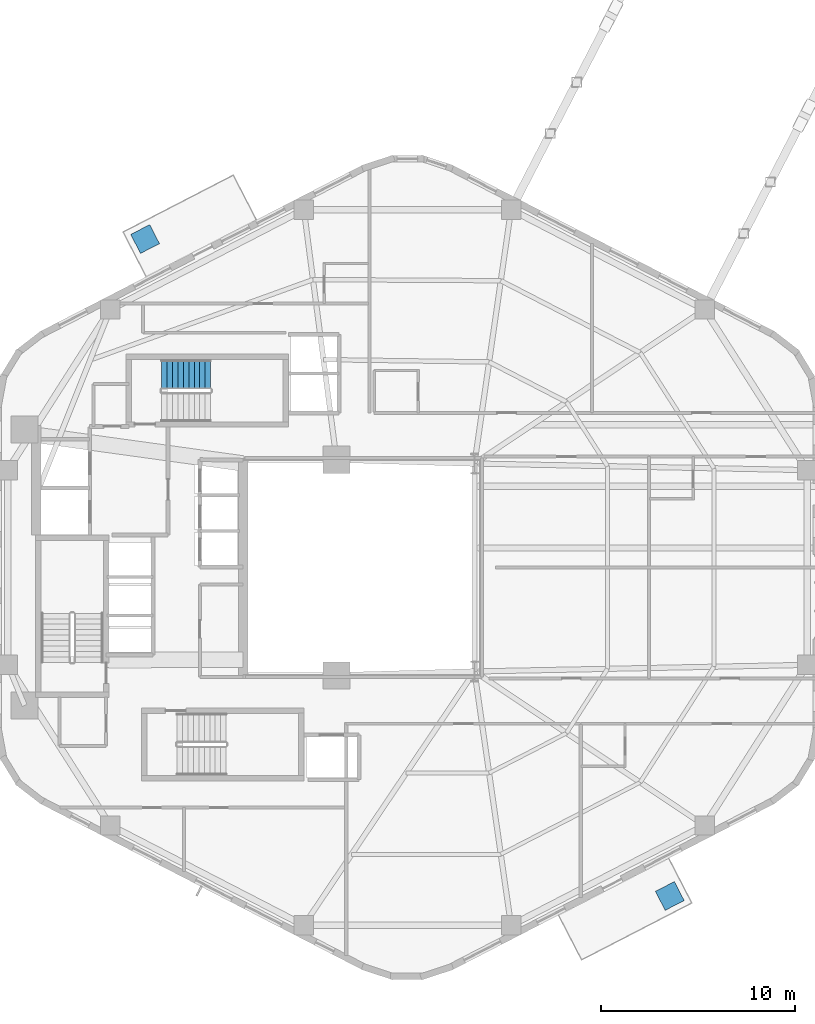
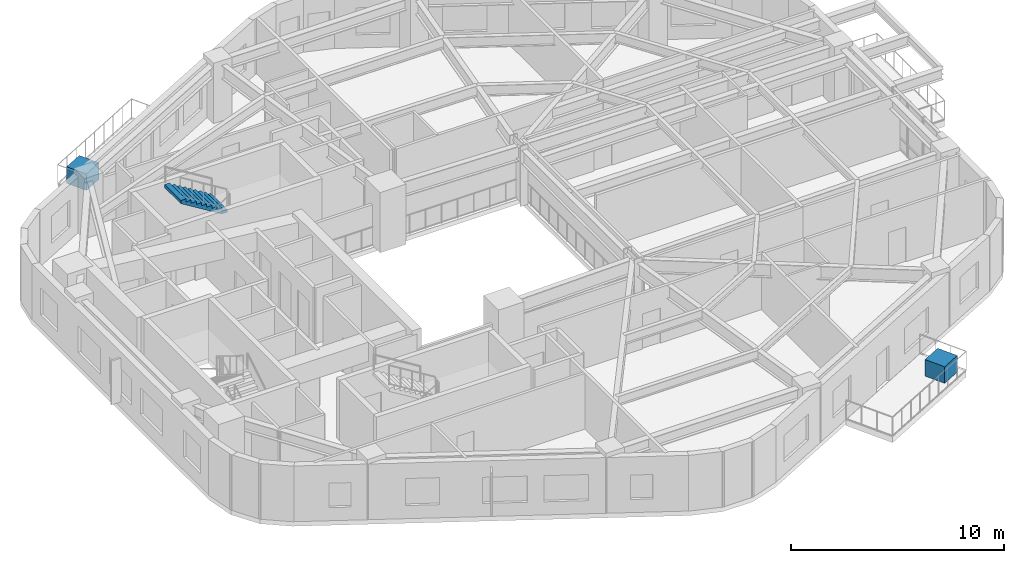
# One storey, part 8 of 10: 2 discrete accessories, 1 stair flight, 1 element without a shape of its own.
"""IFC4 building model written with IfcOpenShell, lengths in metres."""

from ifc_helpers import new_model, si_unit, direction, frame, origin, origin_2d, place, context, subcontext, project, spatial, polyline, rectangle, outline, extrude, material, type_object, element, aggregate, save


model = new_model("IFC4")

# Units and contexts
model_context = context("Model", 3, precision=1e-05, world=origin(), true_north=direction((0.0, 1.0)))
body_context = subcontext(model_context, "Body", "Model", "MODEL_VIEW")
ifc_project = project(units=[si_unit("LENGTHUNIT", "METRE"), si_unit("AREAUNIT", "SQUARE_METRE"), si_unit("VOLUMEUNIT", "CUBIC_METRE"), si_unit("PLANEANGLEUNIT", "RADIAN"), si_unit("MASSUNIT", "GRAM", prefix="KILO"), si_unit("THERMODYNAMICTEMPERATUREUNIT", "KELVIN"), si_unit("POWERUNIT", "WATT")], contexts=[model_context])

# Site, building, storey
site_placement = place(None, origin())
site = spatial("IfcSite", under=ifc_project, at=site_placement, CompositionType="ELEMENT")
building_placement = place(site_placement, origin())
building = spatial("IfcBuilding", under=site, at=building_placement, Name="Skarre Station Tower", CompositionType="ELEMENT")
storey_placement = place(building_placement, frame((0.0, 0.0, 105.0)))
storey = spatial("IfcBuildingStorey", under=building, at=storey_placement, Name="L27", CompositionType="ELEMENT", Elevation=105.0)

# Stair, stair flight
ifc_material_1 = material(Name="Concrete C40/50", Category="concrete")
stair_type = type_object("IfcStairType", Name="Reinforced Concrete Exit Stair ST-3", PredefinedType="HALF_TURN_STAIR", material=ifc_material_1)
stair_placement = place(storey_placement, origin())
stair = element("IfcStair", 1, at=stair_placement, inside=storey, type_object=stair_type, Name="L27 Core Exit Stair ST-3", PredefinedType="HALF_TURN_STAIR")
stair_flight_type = type_object("IfcStairFlightType", Name="Reinforced Concrete Stair Flight ST-3", PredefinedType="STRAIGHT", material=ifc_material_1)
stair_flight_placement = place(storey_placement, frame((25.8701171875, 33.93994140625, 1.72509765625), z_axis=(0.0, 0.0, 1.0), x_axis=(-1.0, 0.0, 0.0)))
stair_flight = element("IfcStairFlight", 2, at=stair_flight_placement, type_object=stair_flight_type, Name="ST-3 flight 2", NumberOfRisers=10, NumberOfTreads=9, PredefinedType="STRAIGHT", RiserHeight=0.1725, TreadLength=0.28, context=body_context, shape_type="SweptSolid", body=[
    extrude(outline(polyline([(0.0, 0.0), (0.0, 0.172607421875), (0.280029296875, 0.172607421875), (0.280029296875, 0.344970703125), (0.56005859375, 0.344970703125), (0.56005859375, 0.517578125), (0.840087890625, 0.517578125), (0.840087890625, 0.68994140625), (1.1201171875, 0.68994140625), (1.1201171875, 0.862548828125), (1.39990234375, 0.862548828125), (1.39990234375, 1.034912109375), (1.679931640625, 1.034912109375), (1.679931640625, 1.20751953125), (1.9599609375, 1.20751953125), (1.9599609375, 1.3798828125), (2.239990234375, 1.3798828125), (2.239990234375, 1.552490234375), (2.52001953125, 1.552490234375), (2.52001953125, 1.72509765625), (2.52001953125, 1.37646484375), (0.285888671875, 0.0), (0.0, 0.0)])), frame((0.0, 0.760009765625, 0.0), z_axis=(0.0, -1.0, 0.0), x_axis=(1.0, 0.0, 0.0)), (0.0, 0.0, 1.0), 1.52001953125),
])
aggregate(stair, [stair_flight])

# Discrete accessories
ifc_material_2 = material(Name="Precast concrete C45/55", Category="concrete")
discrete_accessory_type = type_object("IfcDiscreteAccessoryType", Name="Insulated Precast Tree Planter Trough 1100x1100x950", PredefinedType="USERDEFINED", material=ifc_material_2)
for number, where, z_axis, x_axis, name in (
    (3, (49.5, 7.097900390625, 0.0), (0.0, 0.0, 1.0), (0.458649554484, -0.888617232655, 0.0), "L27 TB-L27-F4 Insulated Precast Tree Planter Trough"),
    (4, (22.5, 40.902099609375, 0.0), (0.0, 0.0, 1.0), (-0.458649554484, 0.888617232655, 0.0), "L27 TB-L27-F1 Insulated Precast Tree Planter Trough"),
):
    element("IfcDiscreteAccessory", number, at=place(storey_placement, frame(where, z_axis=z_axis, x_axis=x_axis)), inside=storey, type_object=discrete_accessory_type, Name=name, ObjectType="PLANTER", PredefinedType="USERDEFINED", context=body_context, shape_type="SweptSolid", body=[
        extrude(rectangle(XDim=1.10009765625, YDim=1.10009765625, at=origin_2d()), origin(), (0.0, 0.0, 1.0), 0.949951171875),
    ])

save(model, "model.ifc")
